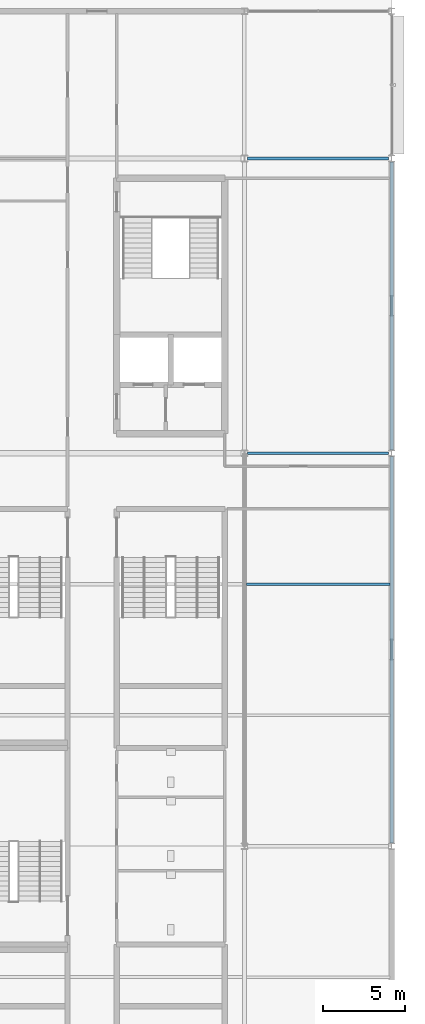
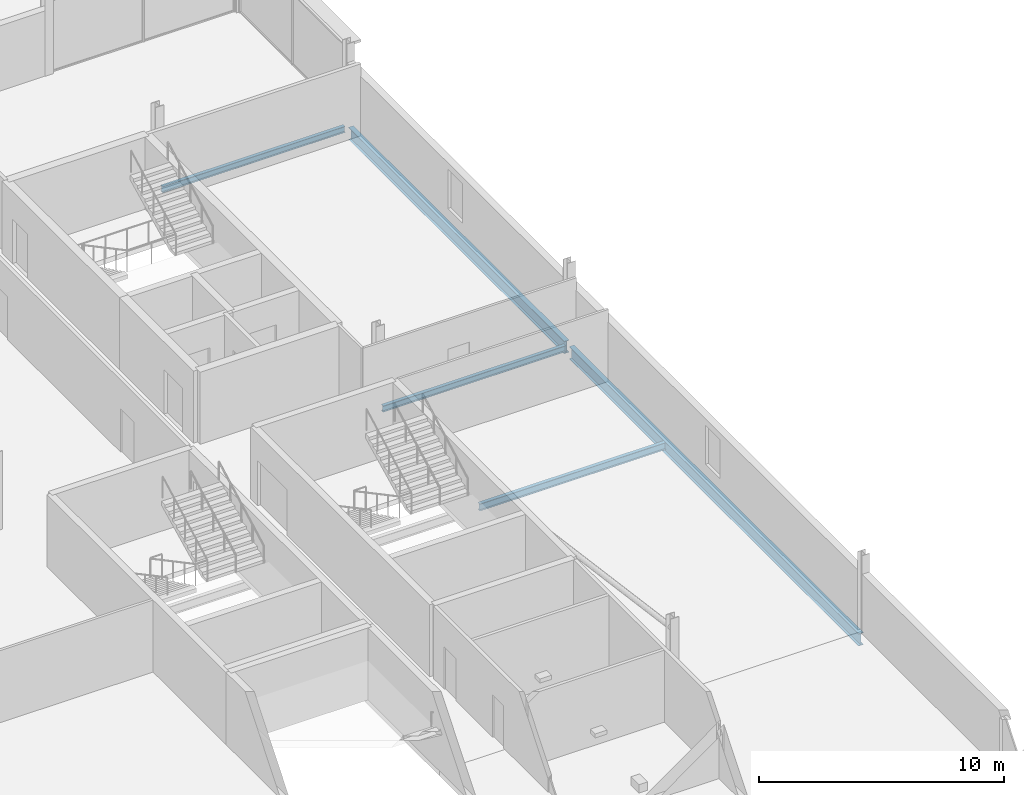
# One storey, part 55 of 105: 5 beams.
"""IFC4 building model written with IfcOpenShell, lengths in metres."""

from ifc_helpers import new_model, si_unit, direction, frame, origin, origin_2d, place, context, subcontext, project, spatial, i_section, extrude, material, material_profile, profile_set, type_object, element, save


model = new_model("IFC4")

# Units and contexts
model_context = context("Model", 3, precision=1e-05, world=origin(), true_north=direction((0.0, 1.0)))
body_context = subcontext(model_context, "Body", "Model", "MODEL_VIEW")
ifc_project = project(units=[si_unit("LENGTHUNIT", "METRE"), si_unit("AREAUNIT", "SQUARE_METRE"), si_unit("VOLUMEUNIT", "CUBIC_METRE"), si_unit("PLANEANGLEUNIT", "RADIAN"), si_unit("MASSUNIT", "GRAM", prefix="KILO")], contexts=[model_context])

# Site, building, storey
site_placement = place(None, origin())
site = spatial("IfcSite", under=ifc_project, at=site_placement, CompositionType="ELEMENT")
building_placement = place(site_placement, origin())
building = spatial("IfcBuilding", under=site, at=building_placement, Name="Kisiwana Market Hall", CompositionType="ELEMENT")
storey_placement = place(building_placement, frame((0.0, 0.0, 21.60009765625)))
storey = spatial("IfcBuildingStorey", under=building, at=storey_placement, Name="L04", CompositionType="ELEMENT", Elevation=21.60009765625)

# Beams
ifc_material_1 = material(Name="Steel S355", Category="steel")
ifc_material_profile_1 = material_profile(ifc_material_1, i_section(OverallWidth=0.22900390625, OverallDepth=0.6123046875, WebThickness=0.011962890625, FlangeThickness=0.01953125, at=origin_2d()), Name="UB 610x229x125")
ifc_profile_set_1 = profile_set([ifc_material_profile_1], Name="Steel S355")
beam_type_1 = type_object("IfcBeamType", Name="BM-GIRD-UB610H", PredefinedType="BEAM", material=ifc_profile_set_1)
beam_1_placement = place(storey_placement, frame((198.0, 60.2041015625, -0.55126953125), z_axis=(0.0, 1.0, 0.0), x_axis=(-1.0, 0.0, 0.0)))
element("IfcBeam", 1, at=beam_1_placement, inside=storey, type_object=beam_type_1, Name="Floor beam B-1514", PredefinedType="BEAM", context=body_context, shape_type="SweptSolid", body=[
    extrude(i_section(OverallWidth=0.22900390625, OverallDepth=0.6123046875, WebThickness=0.011962890625, FlangeThickness=0.01953125, at=origin_2d()), origin(), (0.0, 0.0, 1.0), 23.591796875),
])
beam_2_placement = place(storey_placement, frame((198.0, 84.2041015625, -0.55126953125), z_axis=(0.0, 1.0, 0.0), x_axis=(-1.0, 0.0, 0.0)))
element("IfcBeam", 2, at=beam_2_placement, inside=storey, type_object=beam_type_1, Name="Floor beam B-1515", PredefinedType="BEAM", context=body_context, shape_type="SweptSolid", body=[
    extrude(i_section(OverallWidth=0.22900390625, OverallDepth=0.6123046875, WebThickness=0.011962890625, FlangeThickness=0.01953125, at=origin_2d()), origin(), (0.0, 0.0, 1.0), 17.591796875),
])
ifc_material_2 = material(Name="Steel S355", Category="steel")
ifc_material_profile_2 = material_profile(ifc_material_2, i_section(OverallWidth=0.1650390625, OverallDepth=0.303466796875, WebThickness=0.006103515625, FlangeThickness=0.01025390625, at=origin_2d()), Name="UB 305x165x40")
ifc_profile_set_2 = profile_set([ifc_material_profile_2], Name="Steel S355")
beam_type_2 = type_object("IfcBeamType", Name="BM-JOIST-UB040", PredefinedType="JOIST", material=ifc_profile_set_2)
beam_3_placement = place(storey_placement, frame((189.198974609375, 102.0, -0.396728515625), z_axis=(1.0, 0.0, 0.0), x_axis=(0.0, 1.0, 0.0)))
element("IfcBeam", 3, at=beam_3_placement, inside=storey, type_object=beam_type_2, Name="Floor beam B-1480", PredefinedType="JOIST", context=body_context, shape_type="SweptSolid", body=[
    extrude(i_section(OverallWidth=0.1650390625, OverallDepth=0.303466796875, WebThickness=0.006103515625, FlangeThickness=0.01025390625, at=origin_2d()), origin(), (0.0, 0.0, 1.0), 8.60205078125),
])
ifc_material_3 = material(Name="Steel S355", Category="steel")
ifc_material_profile_3 = material_profile(ifc_material_3, i_section(OverallWidth=0.165771484375, OverallDepth=0.306640625, WebThickness=0.006591796875, FlangeThickness=0.01171875, at=origin_2d()), Name="UB 305x165x46")
ifc_profile_set_3 = profile_set([ifc_material_profile_3], Name="Steel S355")
beam_type_3 = type_object("IfcBeamType", Name="BM-JOIST-UB305H", PredefinedType="JOIST", material=ifc_profile_set_3)
beam_4_placement = place(storey_placement, frame((189.198974609375, 84.0, -0.3984375), z_axis=(1.0, 0.0, 0.0), x_axis=(0.0, 1.0, 0.0)))
element("IfcBeam", 4, at=beam_4_placement, inside=storey, type_object=beam_type_3, Name="Floor beam B-1460", PredefinedType="JOIST", context=body_context, shape_type="SweptSolid", body=[
    extrude(i_section(OverallWidth=0.165771484375, OverallDepth=0.306640625, WebThickness=0.006591796875, FlangeThickness=0.01171875, at=origin_2d()), origin(), (0.0, 0.0, 1.0), 8.60205078125),
])
ifc_material_4 = material(Name="Steel S355", Category="steel")
ifc_material_profile_4 = material_profile(ifc_material_4, i_section(OverallWidth=0.17138671875, OverallDepth=0.35498046875, WebThickness=0.00732421875, FlangeThickness=0.011474609375, at=origin_2d()), Name="UB 356x171x51")
ifc_profile_set_4 = profile_set([ifc_material_profile_4], Name="Steel S355")
beam_type_4 = type_object("IfcBeamType", Name="BM-JOIST-UB356", PredefinedType="JOIST", material=ifc_profile_set_4)
beam_5_placement = place(storey_placement, frame((189.125732421875, 76.0, -0.422607421875), z_axis=(1.0, 0.0, 0.0), x_axis=(0.0, 1.0, 0.0)))
element("IfcBeam", 5, at=beam_5_placement, inside=storey, type_object=beam_type_4, Name="Secondary floor joist B-1414", PredefinedType="JOIST", context=body_context, shape_type="SweptSolid", body=[
    extrude(i_section(OverallWidth=0.17138671875, OverallDepth=0.35498046875, WebThickness=0.00732421875, FlangeThickness=0.011474609375, at=origin_2d()), origin(), (0.0, 0.0, 1.0), 8.7607421875),
])

save(model, "model.ifc")
